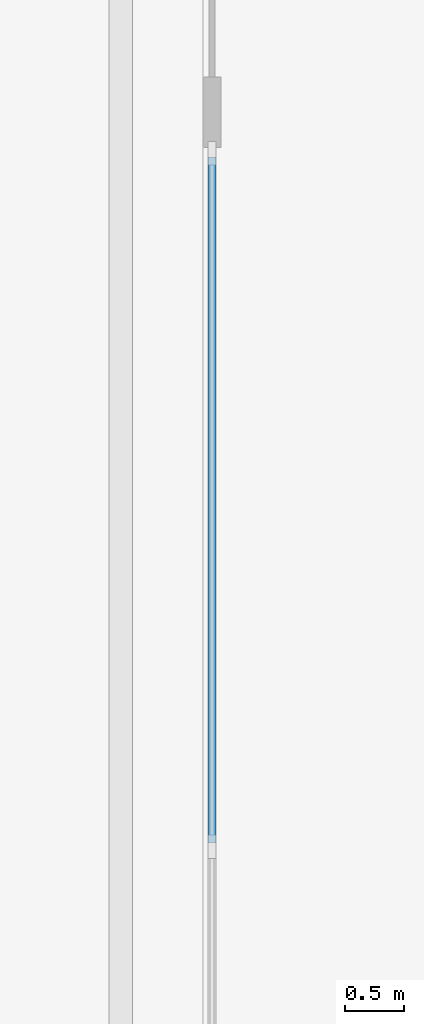
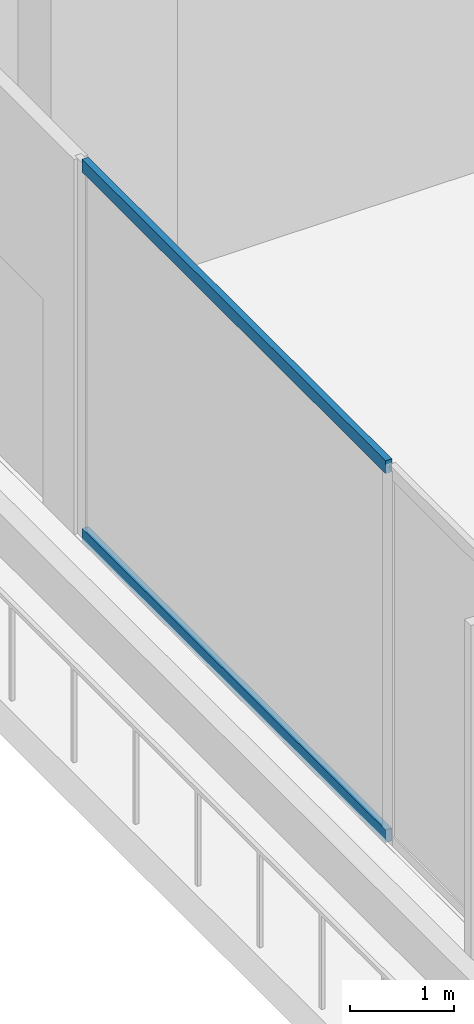
# One storey, part 3 of 31: 2 members, 1 element without a shape of its own.
"""IFC4 building model written with IfcOpenShell, lengths in metres."""

from ifc_helpers import new_model, si_unit, direction, frame, origin, origin_2d, place, context, subcontext, project, spatial, rectangle, extrude, material, layer, layer_set, material_profile, profile_set, type_object, element, aggregate, save


model = new_model("IFC4")

# Units and contexts
model_context = context("Model", 3, precision=1e-05, world=origin(), true_north=direction((0.0, 1.0)))
body_context = subcontext(model_context, "Body", "Model", "MODEL_VIEW")
ifc_project = project(units=[si_unit("LENGTHUNIT", "METRE"), si_unit("AREAUNIT", "SQUARE_METRE"), si_unit("VOLUMEUNIT", "CUBIC_METRE"), si_unit("PLANEANGLEUNIT", "RADIAN"), si_unit("MASSUNIT", "GRAM", prefix="KILO")], contexts=[model_context])

# Site, building, storey
site_placement = place(None, origin())
site = spatial("IfcSite", under=ifc_project, at=site_placement, CompositionType="ELEMENT")
building_placement = place(site_placement, origin())
building = spatial("IfcBuilding", under=site, at=building_placement, Name="Chenar Terraces", CompositionType="ELEMENT")
storey_placement = place(building_placement, frame((0.0, 0.0, 12.0)))
storey = spatial("IfcBuildingStorey", under=building, at=storey_placement, Name="L02", CompositionType="ELEMENT", Elevation=12.0)

# Curtain wall, members
ifc_material_1 = material(Name="Aluminium framed glazing", Category="aluminium")
ifc_layer = layer(ifc_material_1, 0.14990234375)
ifc_layer_set = layer_set([ifc_layer], Name="Aluminium framed glazing")
curtain_wall_type = type_object("IfcCurtainWallType", Name="School curtain wall", PredefinedType="NOTDEFINED", material=ifc_layer_set)
curtain_wall_placement = place(storey_placement, origin())
curtain_wall = element("IfcCurtainWall", 1, at=curtain_wall_placement, inside=storey, type_object=curtain_wall_type, Name="School curtain wall", PredefinedType="NOTDEFINED")
ifc_material_2 = material(Name="Aluminium", Category="aluminium")
ifc_material_profile = material_profile(ifc_material_2, rectangle(XDim=0.070068359375, YDim=0.14990234375, at=origin_2d()), Name="School glazing transom 70 x 150")
ifc_profile_set = profile_set([ifc_material_profile], Name="Aluminium")
member_type = type_object("IfcMemberType", Name="School glazing transom 70 x 150", PredefinedType="USERDEFINED", material=ifc_profile_set)
member_1_placement = place(storey_placement, frame((-10.925048828125, 20.52490234375, 0.034912109375), z_axis=(0.0, -1.0, 0.0), x_axis=(1.0, 0.0, 0.0)))
member_1 = element("IfcMember", 2, at=member_1_placement, type_object=member_type, Name="CW2-05c3 transom 1.1", ObjectType="TRANSOM", PredefinedType="USERDEFINED", context=body_context, shape_type="SweptSolid", body=[
    extrude(rectangle(XDim=0.070068359375, YDim=0.14990234375, at=origin_2d()), origin(), (0.0, 0.0, 1.0), 5.8349609375),
])
member_2_placement = place(storey_placement, frame((-10.925048828125, 20.52490234375, 4.364990234375), z_axis=(0.0, -1.0, 0.0), x_axis=(1.0, 0.0, 0.0)))
member_2 = element("IfcMember", 3, at=member_2_placement, type_object=member_type, Name="CW2-05c3 transom 1.2", ObjectType="TRANSOM", PredefinedType="USERDEFINED", context=body_context, shape_type="SweptSolid", body=[
    extrude(rectangle(XDim=0.070068359375, YDim=0.14990234375, at=origin_2d()), origin(), (0.0, 0.0, 1.0), 5.8349609375),
])
aggregate(curtain_wall, [member_1, member_2])

save(model, "model.ifc")
